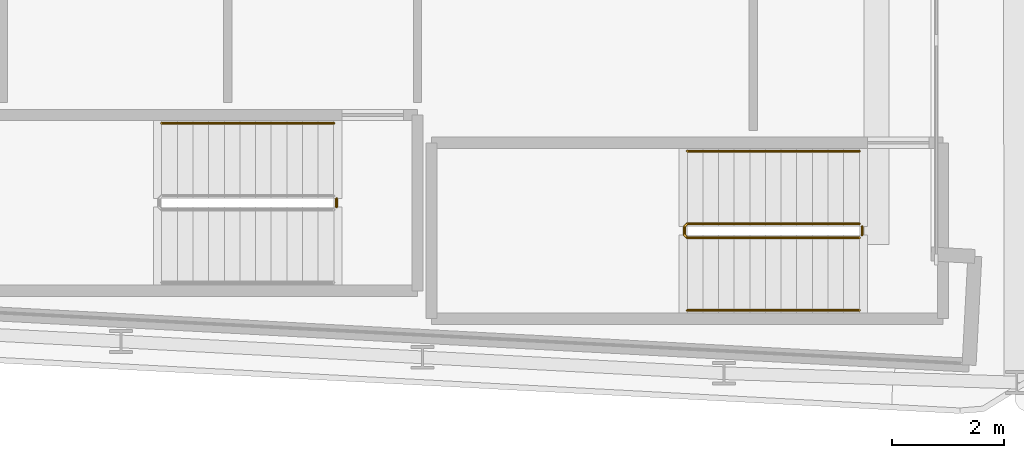
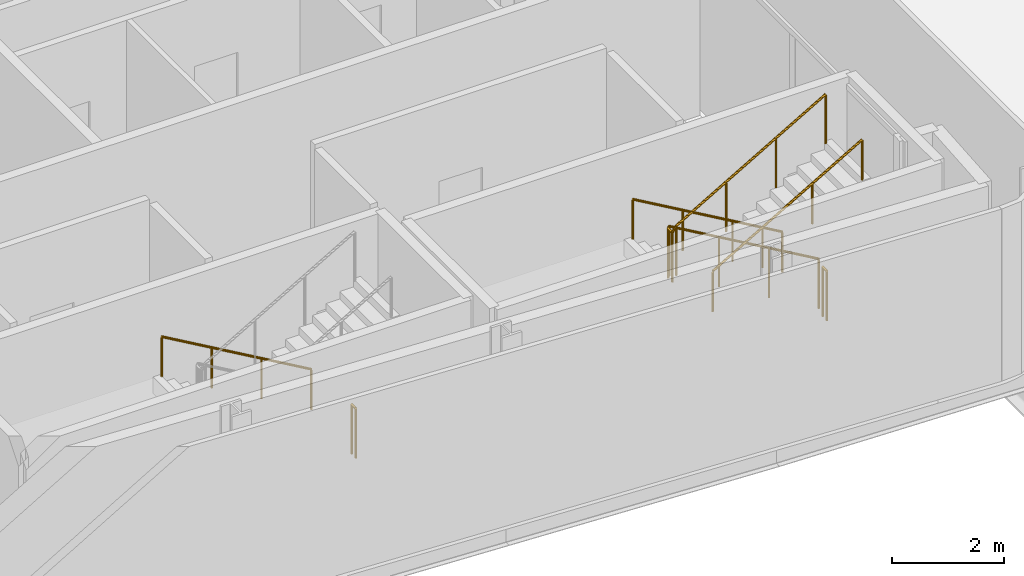
# One storey, part 23 of 27: 6 railings.
"""IFC4 building model written with IfcOpenShell, lengths in metres."""

import ifcopenshell
import ifcopenshell.guid

model = None  # the IFC model being written
_history = None  # IfcOwnerHistory: only IFC2X3 demands one
_inside = {}  # id of a spatial element -> (the spatial element, [elements in it])
_under = {}  # id of a project, library or spatial element -> (it, [spatial elements below it])
_declared = {}  # id of a project -> (the project, [libraries it declares])
_typed = {}  # id of a type object -> (the type object, [elements of that type])
_made_of = {}  # id of a material, layer set ... -> (it, [elements and type objects made of it])


def new_model(schema):
    """Start an empty IFC model of exactly this schema.

    Asked for "IFC4X3", IfcOpenShell would pick the latest addendum, in which some entities
    have other attributes; the version numbers below select the first issue.
    IFC2X3 requires an IfcOwnerHistory on every rooted entity: one is made here for all.
    """
    global model, _history
    if schema == "IFC4X3":
        model = ifcopenshell.file(schema_version=(4, 3, 0, 0))
    else:
        model = ifcopenshell.file(schema=schema)
    _inside.clear()
    _under.clear()
    _declared.clear()
    _typed.clear()
    _made_of.clear()
    _history = None
    if model.schema == "IFC2X3":
        org = make("IfcOrganization", Name="unknown")
        user = make(
            "IfcPersonAndOrganization",
            ThePerson=make("IfcPerson", FamilyName="unknown"),
            TheOrganization=org,
        )
        app = make(
            "IfcApplication",
            ApplicationDeveloper=org,
            Version="unknown",
            ApplicationFullName="unknown",
            ApplicationIdentifier="unknown",
        )
        _history = make(
            "IfcOwnerHistory",
            OwningUser=user,
            OwningApplication=app,
            ChangeAction="ADDED",
            CreationDate=0,
        )
    return model


def make(cls, **values):
    """One entity of the class cls with the attributes given. An attribute that is None is left unset."""
    return model.create_entity(
        cls, **{name: value for name, value in values.items() if value is not None}
    )


def rooted(cls, **values):
    """An entity with a GlobalId (a new one), such as an element, a storey or a relation."""
    return make(cls, GlobalId=ifcopenshell.guid.new(), OwnerHistory=_history, **values)


def si_unit(unit_type, name, prefix=None):
    """IfcSIUnit, for example si_unit("LENGTHUNIT", "METRE", prefix="MILLI")."""
    return make("IfcSIUnit", UnitType=unit_type, Prefix=prefix, Name=name)


def assignment(units):
    """IfcUnitAssignment: the units of a project."""
    return None if units is None else make("IfcUnitAssignment", Units=units)


def point(xyz):
    """IfcCartesianPoint."""
    return None if xyz is None else make("IfcCartesianPoint", Coordinates=xyz)


def direction(xyz):
    """IfcDirection."""
    return None if xyz is None else make("IfcDirection", DirectionRatios=xyz)


def frame(location, z_axis=None, x_axis=None):
    """IfcAxis2Placement3D, a coordinate frame: its origin and axes. An axis left out is left unset."""
    return make(
        "IfcAxis2Placement3D",
        Location=point(location),
        Axis=direction(z_axis),
        RefDirection=direction(x_axis),
    )


def frame_2d(location, x_axis=None):
    """IfcAxis2Placement2D, a coordinate frame in the plane: its origin and x axis."""
    return make(
        "IfcAxis2Placement2D", Location=point(location), RefDirection=direction(x_axis)
    )


def origin():
    """The frame at (0, 0, 0) with its axes left unset."""
    return frame((0.0, 0.0, 0.0))


def origin_2d():
    """The frame at (0, 0) in the plane with its x axis left unset."""
    return frame_2d((0.0, 0.0))


def place(relative_to, where):
    """IfcLocalPlacement: puts the frame where relative to a parent placement (None: the world)."""
    return make(
        "IfcLocalPlacement", PlacementRelTo=relative_to, RelativePlacement=where
    )


def context(
    kind, dimensions, precision=None, world=None, true_north=None, identifier=None
):
    """IfcGeometricRepresentationContext, for example the 3D "Model" context."""
    return make(
        "IfcGeometricRepresentationContext",
        ContextIdentifier=identifier,
        ContextType=kind,
        CoordinateSpaceDimension=dimensions,
        Precision=precision,
        WorldCoordinateSystem=world,
        TrueNorth=true_north,
    )


def subcontext(parent, identifier, kind, view, scale=None):
    """IfcGeometricRepresentationSubContext, for example "Body" below "Model"."""
    return make(
        "IfcGeometricRepresentationSubContext",
        ContextIdentifier=identifier,
        ContextType=kind,
        ParentContext=parent,
        TargetScale=scale,
        TargetView=view,
    )


def project(units=None, contexts=None):
    """IfcProject with its units and contexts."""
    return rooted(
        "IfcProject",
        Name="project",
        RepresentationContexts=contexts,
        UnitsInContext=assignment(units),
    )


def spatial(cls, under=None, at=None, **own):
    """A site, building, storey or space (cls), placed at a placement, below another one or the project."""
    s = rooted(cls, ObjectPlacement=at, **own)
    if under is not None:
        _under.setdefault(under.id(), (under, []))[1].append(s)
    return s


def profile(cls, at=None, kind="AREA", **sizes):
    """A parametric profile (cls). Its sizes go by their IFC names, for example OverallWidth=200.0."""
    return make(cls, ProfileType=kind, Position=at, **sizes)


def circle(**sizes):
    """IfcCircleProfileDef."""
    return profile("IfcCircleProfileDef", **sizes)


def extrude(swept, where, along, depth):
    """IfcExtrudedAreaSolid: the profile swept, set in the frame where, extruded along a direction by depth."""
    return make(
        "IfcExtrudedAreaSolid",
        SweptArea=swept,
        Position=where,
        ExtrudedDirection=direction(along),
        Depth=depth,
    )


def shape(context_of_items, identifier, shape_type, items):
    """IfcShapeRepresentation: the items that make up one representation, for example the "Body"."""
    return make(
        "IfcShapeRepresentation",
        ContextOfItems=context_of_items,
        RepresentationIdentifier=identifier,
        RepresentationType=shape_type,
        Items=items,
    )


def material(Name=None, Category=None):
    """IfcMaterial."""
    return make("IfcMaterial", Name=Name, Category=Category)


def made_of(thing, what):
    """Note that an element or type object is made of a material, layer set ...; save() writes the relation."""
    if what is not None:
        _made_of.setdefault(what.id(), (what, []))[1].append(thing)
    return thing


def type_object(cls, material=None, **own):
    """A type object (cls), such as IfcWallType, which elements share."""
    return made_of(rooted(cls, **own), material)


def element(
    cls,
    number,
    at=None,
    inside=None,
    cuts=None,
    type_object=None,
    material=None,
    context=None,
    identifier="Body",
    shape_type=None,
    held_by="IfcProductDefinitionShape",
    body=None,
    shapes=None,
    **own,
):
    """One element of the class cls, such as IfcWall. Its Tag is "e" and its number.

    at: its placement. inside: the storey or other place that contains it. cuts: it is an
    opening in that element (IfcRelVoidsElement). A single representation is given by context,
    identifier, shape_type and body (its items); several are given by shapes. held_by: the class
    of the entity that holds the representations. save() writes the other relations.
    """
    e = rooted(cls, Tag="e%d" % number, ObjectPlacement=at, **own)
    if body is not None:
        shapes = [shape(context, identifier, shape_type, body)]
    if shapes is not None:
        e.Representation = make(held_by, Representations=shapes)
    if inside is not None:
        _inside.setdefault(inside.id(), (inside, []))[1].append(e)
    if cuts is not None:
        rooted(
            "IfcRelVoidsElement", RelatingBuildingElement=cuts, RelatedOpeningElement=e
        )
    if type_object is not None:
        _typed.setdefault(type_object.id(), (type_object, []))[1].append(e)
    return made_of(e, material)


def aggregate(whole, parts):
    """IfcRelAggregates: a whole, such as a stair, and the parts it consists of."""
    return rooted("IfcRelAggregates", RelatingObject=whole, RelatedObjects=parts)


def save(model, path):
    """Write the relations noted so far, then the file.

    IfcRelAggregates (storeys below a building ...), IfcRelContainedInSpatialStructure (elements
    in a storey), IfcRelDefinesByType, IfcRelAssociatesMaterial and IfcRelDeclares: one each for
    every whole, place, type object, material and project.
    """
    for whole, parts in _under.values():
        aggregate(whole, parts)
    for where, things in _inside.values():
        rooted(
            "IfcRelContainedInSpatialStructure",
            RelatedElements=things,
            RelatingStructure=where,
        )
    for kind, things in _typed.values():
        rooted("IfcRelDefinesByType", RelatedObjects=things, RelatingType=kind)
    for what, things in _made_of.values():
        rooted("IfcRelAssociatesMaterial", RelatedObjects=things, RelatingMaterial=what)
    for by, libraries in _declared.values():
        rooted("IfcRelDeclares", RelatingContext=by, RelatedDefinitions=libraries)
    model.write(path)


model = new_model("IFC4")

# Units and contexts
model_context = context("Model", 3, precision=1e-05, world=origin(), true_north=direction((0.0, 1.0)))
body_context = subcontext(model_context, "Body", "Model", "MODEL_VIEW")
ifc_project = project(units=[si_unit("LENGTHUNIT", "METRE"), si_unit("AREAUNIT", "SQUARE_METRE"), si_unit("VOLUMEUNIT", "CUBIC_METRE"), si_unit("PLANEANGLEUNIT", "RADIAN"), si_unit("MASSUNIT", "GRAM", prefix="KILO")], contexts=[model_context])

# Site, building, storey
site_placement = place(None, origin())
site = spatial("IfcSite", under=ifc_project, at=site_placement, CompositionType="ELEMENT")
building_placement = place(site_placement, origin())
building = spatial("IfcBuilding", under=site, at=building_placement, Name="Kheshtan School and Residences Tower", CompositionType="ELEMENT")
storey_placement = place(building_placement, frame((0.0, 0.0, 152.60009765625)))
storey = spatial("IfcBuildingStorey", under=building, at=storey_placement, Name="L35", CompositionType="ELEMENT", Elevation=152.60009765625)

# Railings
ifc_material_1 = material(Name="Stainless steel balustrade", Category="steel")
railing_type_1 = type_object("IfcRailingType", Name="Stair guard 1100", PredefinedType="GUARDRAIL", material=ifc_material_1)
railing_1_placement = place(storey_placement, frame((87.820068359375, 23.949951171875, 0.162353515625)))
element("IfcRailing", 1, at=railing_1_placement, inside=storey, type_object=railing_type_1, Name="L35 ST4 stair guard 1", PredefinedType="GUARDRAIL", context=body_context, shape_type="SweptSolid", body=[
    extrude(circle(Radius=0.02392578125, at=origin_2d()), frame((0.0, 0.0, 1.076171875), z_axis=(-0.864890721111, 0.0, 0.501960198159), x_axis=(0.0, -1.0, 0.0)), (0.0, 0.0, 1.0), 3.561279296875),
    extrude(circle(Radius=0.02392578125, at=origin_2d()), frame((-3.080078125, 0.0, 2.86376953125), z_axis=(-0.707106781187, -0.707106781187, 0.0), x_axis=(0.707106781187, -0.707106781187, 0.0)), (0.0, 0.0, 1.0), 0.07080078125),
    extrude(circle(Radius=0.02392578125, at=origin_2d()), frame((-3.130126953125, -0.050048828125, 2.86376953125), z_axis=(0.0, -1.0, 0.0), x_axis=(1.0, 0.0, 0.0)), (0.0, 0.0, 1.0), 0.14990234375),
    extrude(circle(Radius=0.02392578125, at=origin_2d()), frame((-3.130126953125, -0.199951171875, 2.86376953125), z_axis=(0.282583949758, -0.282583949758, 0.916674763849), x_axis=(0.707106781187, 0.707106781187, 0.0)), (0.0, 0.0, 1.0), 0.177001953125),
    extrude(circle(Radius=0.02392578125, at=origin_2d()), frame((-3.080078125, -0.25, 3.02587890625), z_axis=(0.864890721111, 0.0, 0.501960198159), x_axis=(0.0, 1.0, 0.0)), (0.0, 0.0, 1.0), 3.561279296875),
    extrude(circle(Radius=0.02099609375, at=origin_2d()), origin(), (0.0, 0.0, 1.0), 1.052001953125),
    extrude(circle(Radius=0.02099609375, at=origin_2d()), frame((-1.026611328125, 0.0, 0.595947265625)), (0.0, 0.0, 1.0), 1.052001953125),
    extrude(circle(Radius=0.02099609375, at=origin_2d()), frame((-2.053466796875, 0.0, 1.191650390625)), (0.0, 0.0, 1.0), 1.052001953125),
    extrude(circle(Radius=0.02099609375, at=origin_2d()), frame((-3.080078125, 0.0, 1.78759765625)), (0.0, 0.0, 1.0), 1.052001953125),
    extrude(circle(Radius=0.02099609375, at=origin_2d()), frame((-3.130126953125, -0.050048828125, 1.78759765625)), (0.0, 0.0, 1.0), 1.052001953125),
    extrude(circle(Radius=0.02099609375, at=origin_2d()), frame((-3.130126953125, -0.199951171875, 1.78759765625)), (0.0, 0.0, 1.0), 1.052001953125),
    extrude(circle(Radius=0.02099609375, at=origin_2d()), frame((-3.080078125, -0.25, 1.949951171875)), (0.0, 0.0, 1.0), 1.052001953125),
    extrude(circle(Radius=0.02099609375, at=origin_2d()), frame((-2.053466796875, -0.25, 2.5458984375)), (0.0, 0.0, 1.0), 1.052001953125),
    extrude(circle(Radius=0.02099609375, at=origin_2d()), frame((-1.026611328125, -0.25, 3.1416015625)), (0.0, 0.0, 1.0), 1.052001953125),
    extrude(circle(Radius=0.02099609375, at=origin_2d()), frame((0.0, -0.25, 3.737548828125)), (0.0, 0.0, 1.0), 1.052001953125),
])
for number, where, name in (
    (2, (87.8701171875, 23.89990234375, 0.0), "L35 ST4 stair guard 2"),
    (3, (78.4599609375, 24.39990234375, 0.0), "L35 ST5 stair guard 2"),
):
    element("IfcRailing", number, at=place(storey_placement, frame(where)), inside=storey, type_object=railing_type_1, Name=name, PredefinedType="GUARDRAIL", context=body_context, shape_type="SweptSolid", body=[
        extrude(circle(Radius=0.02392578125, at=origin_2d()), frame((0.0, 0.0, 1.076171875), z_axis=(0.0, -1.0, 0.0), x_axis=(1.0, 0.0, 0.0)), (0.0, 0.0, 1.0), 0.14990234375),
        extrude(circle(Radius=0.02099609375, at=origin_2d()), origin(), (0.0, 0.0, 1.0), 1.052001953125),
        extrude(circle(Radius=0.02099609375, at=origin_2d()), frame((0.0, -0.14990234375, 0.0)), (0.0, 0.0, 1.0), 1.052001953125),
    ])
ifc_material_2 = material(Name="Stainless steel handrail", Category="steel")
railing_type_2 = type_object("IfcRailingType", Name="Stair handrail 900", PredefinedType="HANDRAIL", material=ifc_material_2)
railing_2_placement = place(storey_placement, frame((87.820068359375, 25.25, 0.162353515625)))
element("IfcRailing", 4, at=railing_2_placement, inside=storey, type_object=railing_type_2, Name="L35 ST4 stair handrail 1", PredefinedType="HANDRAIL", context=body_context, shape_type="SweptSolid", body=[
    extrude(circle(Radius=0.02392578125, at=origin_2d()), frame((0.0, 0.0, 0.8759765625), z_axis=(-0.864890721111, 0.0, 0.501960198159), x_axis=(0.0, -1.0, 0.0)), (0.0, 0.0, 1.0), 3.561279296875),
    extrude(circle(Radius=0.02099609375, at=origin_2d()), origin(), (0.0, 0.0, 1.0), 0.851806640625),
    extrude(circle(Radius=0.02099609375, at=origin_2d()), frame((-1.026611328125, 0.0, 0.595947265625)), (0.0, 0.0, 1.0), 0.851806640625),
    extrude(circle(Radius=0.02099609375, at=origin_2d()), frame((-2.053466796875, 0.0, 1.191650390625)), (0.0, 0.0, 1.0), 0.851806640625),
    extrude(circle(Radius=0.02099609375, at=origin_2d()), frame((-3.080078125, 0.0, 1.78759765625)), (0.0, 0.0, 1.0), 0.851806640625),
])
railing_3_placement = place(storey_placement, frame((84.739990234375, 22.39990234375, 2.1123046875)))
element("IfcRailing", 5, at=railing_3_placement, inside=storey, type_object=railing_type_2, Name="L35 ST4 stair handrail 2", PredefinedType="HANDRAIL", context=body_context, shape_type="SweptSolid", body=[
    extrude(circle(Radius=0.02392578125, at=origin_2d()), frame((0.0, 0.0, 0.8759765625), z_axis=(0.864890721111, 0.0, 0.501960198159), x_axis=(0.0, 1.0, 0.0)), (0.0, 0.0, 1.0), 3.561279296875),
    extrude(circle(Radius=0.02099609375, at=origin_2d()), origin(), (0.0, 0.0, 1.0), 0.851806640625),
    extrude(circle(Radius=0.02099609375, at=origin_2d()), frame((1.026611328125, 0.0, 0.595947265625)), (0.0, 0.0, 1.0), 0.851806640625),
    extrude(circle(Radius=0.02099609375, at=origin_2d()), frame((2.053466796875, 0.0, 1.191650390625)), (0.0, 0.0, 1.0), 0.851806640625),
    extrude(circle(Radius=0.02099609375, at=origin_2d()), frame((3.080078125, 0.0, 1.78759765625)), (0.0, 0.0, 1.0), 0.851806640625),
])
railing_4_placement = place(storey_placement, frame((78.409912109375, 25.75, 0.162353515625)))
element("IfcRailing", 6, at=railing_4_placement, inside=storey, type_object=railing_type_2, Name="L35 ST5 stair handrail 1", PredefinedType="HANDRAIL", context=body_context, shape_type="SweptSolid", body=[
    extrude(circle(Radius=0.02392578125, at=origin_2d()), frame((0.0, 0.0, 0.8759765625), z_axis=(-0.864873446163, 0.0, 0.501989962173), x_axis=(0.0, -1.0, 0.0)), (0.0, 0.0, 1.0), 3.56103515625),
    extrude(circle(Radius=0.02099609375, at=origin_2d()), origin(), (0.0, 0.0, 1.0), 0.851806640625),
    extrude(circle(Radius=0.02099609375, at=origin_2d()), frame((-1.026611328125, 0.0, 0.595947265625)), (0.0, 0.0, 1.0), 0.851806640625),
    extrude(circle(Radius=0.02099609375, at=origin_2d()), frame((-2.05322265625, 0.0, 1.191650390625)), (0.0, 0.0, 1.0), 0.851806640625),
    extrude(circle(Radius=0.02099609375, at=origin_2d()), frame((-3.079833984375, 0.0, 1.78759765625)), (0.0, 0.0, 1.0), 0.851806640625),
])

save(model, "model.ifc")
